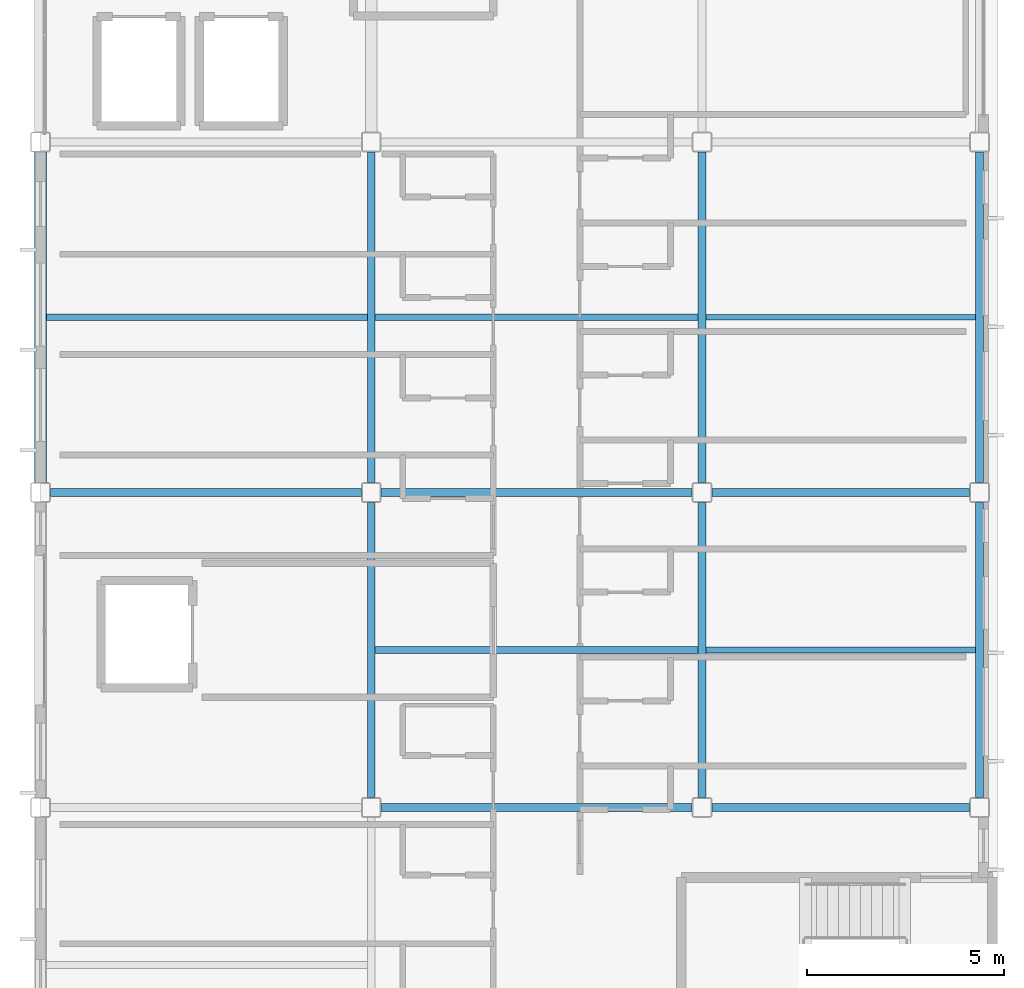
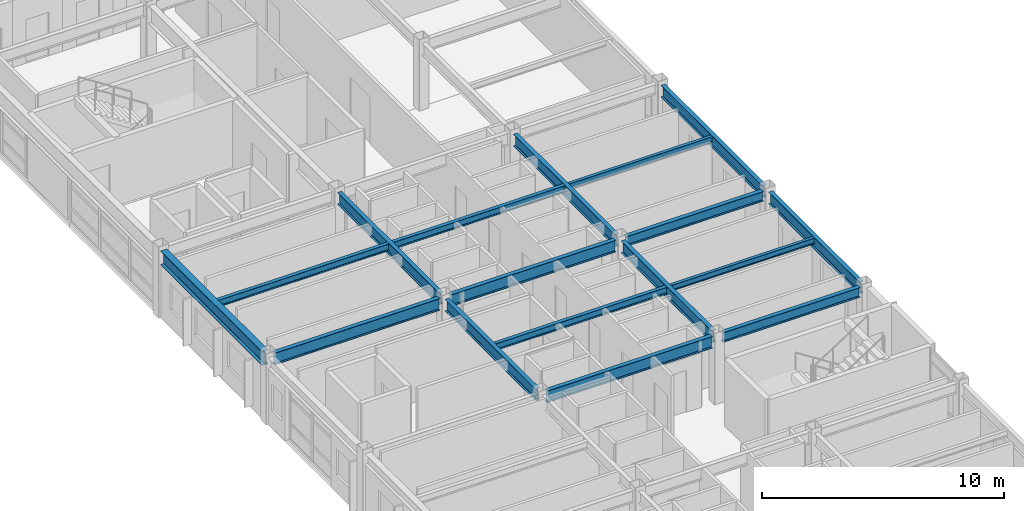
# One storey, part 9 of 35: 17 beams.
"""IFC4 building model written with IfcOpenShell, lengths in metres."""

import ifcopenshell
import ifcopenshell.guid

model = None  # the IFC model being written
_history = None  # IfcOwnerHistory: only IFC2X3 demands one
_inside = {}  # id of a spatial element -> (the spatial element, [elements in it])
_under = {}  # id of a project, library or spatial element -> (it, [spatial elements below it])
_declared = {}  # id of a project -> (the project, [libraries it declares])
_typed = {}  # id of a type object -> (the type object, [elements of that type])
_made_of = {}  # id of a material, layer set ... -> (it, [elements and type objects made of it])


def new_model(schema):
    """Start an empty IFC model of exactly this schema.

    Asked for "IFC4X3", IfcOpenShell would pick the latest addendum, in which some entities
    have other attributes; the version numbers below select the first issue.
    IFC2X3 requires an IfcOwnerHistory on every rooted entity: one is made here for all.
    """
    global model, _history
    if schema == "IFC4X3":
        model = ifcopenshell.file(schema_version=(4, 3, 0, 0))
    else:
        model = ifcopenshell.file(schema=schema)
    _inside.clear()
    _under.clear()
    _declared.clear()
    _typed.clear()
    _made_of.clear()
    _history = None
    if model.schema == "IFC2X3":
        org = make("IfcOrganization", Name="unknown")
        user = make(
            "IfcPersonAndOrganization",
            ThePerson=make("IfcPerson", FamilyName="unknown"),
            TheOrganization=org,
        )
        app = make(
            "IfcApplication",
            ApplicationDeveloper=org,
            Version="unknown",
            ApplicationFullName="unknown",
            ApplicationIdentifier="unknown",
        )
        _history = make(
            "IfcOwnerHistory",
            OwningUser=user,
            OwningApplication=app,
            ChangeAction="ADDED",
            CreationDate=0,
        )
    return model


def make(cls, **values):
    """One entity of the class cls with the attributes given. An attribute that is None is left unset."""
    return model.create_entity(
        cls, **{name: value for name, value in values.items() if value is not None}
    )


def rooted(cls, **values):
    """An entity with a GlobalId (a new one), such as an element, a storey or a relation."""
    return make(cls, GlobalId=ifcopenshell.guid.new(), OwnerHistory=_history, **values)


def si_unit(unit_type, name, prefix=None):
    """IfcSIUnit, for example si_unit("LENGTHUNIT", "METRE", prefix="MILLI")."""
    return make("IfcSIUnit", UnitType=unit_type, Prefix=prefix, Name=name)


def assignment(units):
    """IfcUnitAssignment: the units of a project."""
    return None if units is None else make("IfcUnitAssignment", Units=units)


def point(xyz):
    """IfcCartesianPoint."""
    return None if xyz is None else make("IfcCartesianPoint", Coordinates=xyz)


def direction(xyz):
    """IfcDirection."""
    return None if xyz is None else make("IfcDirection", DirectionRatios=xyz)


def frame(location, z_axis=None, x_axis=None):
    """IfcAxis2Placement3D, a coordinate frame: its origin and axes. An axis left out is left unset."""
    return make(
        "IfcAxis2Placement3D",
        Location=point(location),
        Axis=direction(z_axis),
        RefDirection=direction(x_axis),
    )


def frame_2d(location, x_axis=None):
    """IfcAxis2Placement2D, a coordinate frame in the plane: its origin and x axis."""
    return make(
        "IfcAxis2Placement2D", Location=point(location), RefDirection=direction(x_axis)
    )


def origin():
    """The frame at (0, 0, 0) with its axes left unset."""
    return frame((0.0, 0.0, 0.0))


def origin_2d():
    """The frame at (0, 0) in the plane with its x axis left unset."""
    return frame_2d((0.0, 0.0))


def place(relative_to, where):
    """IfcLocalPlacement: puts the frame where relative to a parent placement (None: the world)."""
    return make(
        "IfcLocalPlacement", PlacementRelTo=relative_to, RelativePlacement=where
    )


def context(
    kind, dimensions, precision=None, world=None, true_north=None, identifier=None
):
    """IfcGeometricRepresentationContext, for example the 3D "Model" context."""
    return make(
        "IfcGeometricRepresentationContext",
        ContextIdentifier=identifier,
        ContextType=kind,
        CoordinateSpaceDimension=dimensions,
        Precision=precision,
        WorldCoordinateSystem=world,
        TrueNorth=true_north,
    )


def subcontext(parent, identifier, kind, view, scale=None):
    """IfcGeometricRepresentationSubContext, for example "Body" below "Model"."""
    return make(
        "IfcGeometricRepresentationSubContext",
        ContextIdentifier=identifier,
        ContextType=kind,
        ParentContext=parent,
        TargetScale=scale,
        TargetView=view,
    )


def project(units=None, contexts=None):
    """IfcProject with its units and contexts."""
    return rooted(
        "IfcProject",
        Name="project",
        RepresentationContexts=contexts,
        UnitsInContext=assignment(units),
    )


def spatial(cls, under=None, at=None, **own):
    """A site, building, storey or space (cls), placed at a placement, below another one or the project."""
    s = rooted(cls, ObjectPlacement=at, **own)
    if under is not None:
        _under.setdefault(under.id(), (under, []))[1].append(s)
    return s


def profile(cls, at=None, kind="AREA", **sizes):
    """A parametric profile (cls). Its sizes go by their IFC names, for example OverallWidth=200.0."""
    return make(cls, ProfileType=kind, Position=at, **sizes)


def i_section(**sizes):
    """IfcIShapeProfileDef."""
    return profile("IfcIShapeProfileDef", **sizes)


def extrude(swept, where, along, depth):
    """IfcExtrudedAreaSolid: the profile swept, set in the frame where, extruded along a direction by depth."""
    return make(
        "IfcExtrudedAreaSolid",
        SweptArea=swept,
        Position=where,
        ExtrudedDirection=direction(along),
        Depth=depth,
    )


def shape(context_of_items, identifier, shape_type, items):
    """IfcShapeRepresentation: the items that make up one representation, for example the "Body"."""
    return make(
        "IfcShapeRepresentation",
        ContextOfItems=context_of_items,
        RepresentationIdentifier=identifier,
        RepresentationType=shape_type,
        Items=items,
    )


def material(Name=None, Category=None):
    """IfcMaterial."""
    return make("IfcMaterial", Name=Name, Category=Category)


def material_profile(
    of_material, cross_section, Name=None, Category=None, Priority=None
):
    """IfcMaterialProfile: a cross section and its material."""
    return make(
        "IfcMaterialProfile",
        Name=Name,
        Material=of_material,
        Profile=cross_section,
        Priority=Priority,
        Category=Category,
    )


def profile_set(profiles, Name=None, composite=None):
    """IfcMaterialProfileSet."""
    return make(
        "IfcMaterialProfileSet",
        Name=Name,
        MaterialProfiles=profiles,
        CompositeProfile=composite,
    )


def made_of(thing, what):
    """Note that an element or type object is made of a material, layer set ...; save() writes the relation."""
    if what is not None:
        _made_of.setdefault(what.id(), (what, []))[1].append(thing)
    return thing


def type_object(cls, material=None, **own):
    """A type object (cls), such as IfcWallType, which elements share."""
    return made_of(rooted(cls, **own), material)


def element(
    cls,
    number,
    at=None,
    inside=None,
    cuts=None,
    type_object=None,
    material=None,
    context=None,
    identifier="Body",
    shape_type=None,
    held_by="IfcProductDefinitionShape",
    body=None,
    shapes=None,
    **own,
):
    """One element of the class cls, such as IfcWall. Its Tag is "e" and its number.

    at: its placement. inside: the storey or other place that contains it. cuts: it is an
    opening in that element (IfcRelVoidsElement). A single representation is given by context,
    identifier, shape_type and body (its items); several are given by shapes. held_by: the class
    of the entity that holds the representations. save() writes the other relations.
    """
    e = rooted(cls, Tag="e%d" % number, ObjectPlacement=at, **own)
    if body is not None:
        shapes = [shape(context, identifier, shape_type, body)]
    if shapes is not None:
        e.Representation = make(held_by, Representations=shapes)
    if inside is not None:
        _inside.setdefault(inside.id(), (inside, []))[1].append(e)
    if cuts is not None:
        rooted(
            "IfcRelVoidsElement", RelatingBuildingElement=cuts, RelatedOpeningElement=e
        )
    if type_object is not None:
        _typed.setdefault(type_object.id(), (type_object, []))[1].append(e)
    return made_of(e, material)


def aggregate(whole, parts):
    """IfcRelAggregates: a whole, such as a stair, and the parts it consists of."""
    return rooted("IfcRelAggregates", RelatingObject=whole, RelatedObjects=parts)


def save(model, path):
    """Write the relations noted so far, then the file.

    IfcRelAggregates (storeys below a building ...), IfcRelContainedInSpatialStructure (elements
    in a storey), IfcRelDefinesByType, IfcRelAssociatesMaterial and IfcRelDeclares: one each for
    every whole, place, type object, material and project.
    """
    for whole, parts in _under.values():
        aggregate(whole, parts)
    for where, things in _inside.values():
        rooted(
            "IfcRelContainedInSpatialStructure",
            RelatedElements=things,
            RelatingStructure=where,
        )
    for kind, things in _typed.values():
        rooted("IfcRelDefinesByType", RelatedObjects=things, RelatingType=kind)
    for what, things in _made_of.values():
        rooted("IfcRelAssociatesMaterial", RelatedObjects=things, RelatingMaterial=what)
    for by, libraries in _declared.values():
        rooted("IfcRelDeclares", RelatingContext=by, RelatedDefinitions=libraries)
    model.write(path)


model = new_model("IFC4")

# Units and contexts
model_context = context("Model", 3, precision=1e-05, world=origin(), true_north=direction((0.0, 1.0)))
body_context = subcontext(model_context, "Body", "Model", "MODEL_VIEW")
ifc_project = project(units=[si_unit("LENGTHUNIT", "METRE"), si_unit("AREAUNIT", "SQUARE_METRE"), si_unit("VOLUMEUNIT", "CUBIC_METRE"), si_unit("PLANEANGLEUNIT", "RADIAN"), si_unit("MASSUNIT", "GRAM", prefix="KILO")], contexts=[model_context])

# Site, building, storey
site_placement = place(None, origin())
site = spatial("IfcSite", under=ifc_project, at=site_placement, CompositionType="ELEMENT")
building_placement = place(site_placement, origin())
building = spatial("IfcBuilding", under=site, at=building_placement, Name="Kazehara Bluff Congress Hotel", CompositionType="ELEMENT")
storey_placement = place(building_placement, frame((0.0, 0.0, 35.39990234375)))
storey = spatial("IfcBuildingStorey", under=building, at=storey_placement, Name="L08", CompositionType="ELEMENT", Elevation=35.39990234375)

# Beams
ifc_material_1 = material(Name="Steel SN490B", Category="steel")
ifc_material_profile_1 = material_profile(ifc_material_1, i_section(OverallWidth=0.199951171875, OverallDepth=0.5, WebThickness=0.010009765625, FlangeThickness=0.01611328125, FilletRadius=0.012939453125, at=origin_2d()))
ifc_profile_set_1 = profile_set([ifc_material_profile_1], Name="Steel SN490B")
beam_type_1 = type_object("IfcBeamType", Name="TP-G-01", PredefinedType="BEAM", material=ifc_profile_set_1)
for number, where, z_axis, x_axis, name in (
    (1, (160.75, 24.0, 3.130126953125), (1.0, 0.0, 0.0), (0.0, 1.0, 0.0), "L08 girder G-01 44"),
    (2, (160.75, 32.0, 3.130126953125), (1.0, 0.0, 0.0), (0.0, 1.0, 0.0), "L08 girder G-01 47"),
):
    element("IfcBeam", number, at=place(storey_placement, frame(where, z_axis=z_axis, x_axis=x_axis)), inside=storey, type_object=beam_type_1, Name=name, PredefinedType="BEAM", context=body_context, shape_type="SweptSolid", body=[
        extrude(i_section(OverallWidth=0.199951171875, OverallDepth=0.5, WebThickness=0.010009765625, FlangeThickness=0.01611328125, FilletRadius=0.012939453125, at=origin_2d()), origin(), (0.0, 0.0, 1.0), 6.550048828125),
    ])
ifc_material_2 = material(Name="Steel SN490B", Category="steel")
ifc_material_profile_2 = material_profile(ifc_material_2, i_section(OverallWidth=0.199951171875, OverallDepth=0.60009765625, WebThickness=0.010986328125, FlangeThickness=0.01708984375, FilletRadius=0.012939453125, at=origin_2d()))
ifc_profile_set_2 = profile_set([ifc_material_profile_2], Name="Steel SN490B")
beam_type_2 = type_object("IfcBeamType", Name="TP-G-02", PredefinedType="BEAM", material=ifc_profile_set_2)
beam_1_placement = place(storey_placement, frame((152.10009765625, 24.25, 3.080078125), z_axis=(0.0, 1.0, 0.0), x_axis=(-1.0, 0.0, 0.0)))
element("IfcBeam", 3, at=beam_1_placement, inside=storey, type_object=beam_type_2, Name="L08 girder G-02 13", PredefinedType="BEAM", context=body_context, shape_type="SweptSolid", body=[
    extrude(i_section(OverallWidth=0.199951171875, OverallDepth=0.60009765625, WebThickness=0.010986328125, FlangeThickness=0.01708984375, FilletRadius=0.012939453125, at=origin_2d()), origin(), (0.0, 0.0, 1.0), 7.5),
])
beam_2_placement = place(storey_placement, frame((152.10009765625, 32.25, 3.080078125), z_axis=(0.0, 1.0, 0.0), x_axis=(-1.0, 0.0, 0.0)))
element("IfcBeam", 4, at=beam_2_placement, inside=storey, type_object=beam_type_2, Name="L08 girder G-02 14", PredefinedType="BEAM", context=body_context, shape_type="SweptSolid", body=[
    extrude(i_section(OverallWidth=0.199951171875, OverallDepth=0.60009765625, WebThickness=0.010986328125, FlangeThickness=0.01708984375, FilletRadius=0.012939453125, at=origin_2d()), origin(), (0.0, 0.0, 1.0), 8.39990234375),
])
beam_3_placement = place(storey_placement, frame((160.5, 24.25, 3.080078125), z_axis=(0.0, 1.0, 0.0), x_axis=(-1.0, 0.0, 0.0)))
element("IfcBeam", 5, at=beam_3_placement, inside=storey, type_object=beam_type_2, Name="L08 girder G-02 21", PredefinedType="BEAM", context=body_context, shape_type="SweptSolid", body=[
    extrude(i_section(OverallWidth=0.199951171875, OverallDepth=0.60009765625, WebThickness=0.010986328125, FlangeThickness=0.01708984375, FilletRadius=0.012939453125, at=origin_2d()), origin(), (0.0, 0.0, 1.0), 7.5),
])
beam_4_placement = place(storey_placement, frame((160.5, 32.25, 3.080078125), z_axis=(0.0, 1.0, 0.0), x_axis=(-1.0, 0.0, 0.0)))
element("IfcBeam", 6, at=beam_4_placement, inside=storey, type_object=beam_type_2, Name="L08 girder G-02 22", PredefinedType="BEAM", context=body_context, shape_type="SweptSolid", body=[
    extrude(i_section(OverallWidth=0.199951171875, OverallDepth=0.60009765625, WebThickness=0.010986328125, FlangeThickness=0.01708984375, FilletRadius=0.012939453125, at=origin_2d()), origin(), (0.0, 0.0, 1.0), 8.39990234375),
])
beam_5_placement = place(storey_placement, frame((167.550048828125, 24.25, 3.080078125), z_axis=(0.0, 1.0, 0.0), x_axis=(-1.0, 0.0, 0.0)))
element("IfcBeam", 7, at=beam_5_placement, inside=storey, type_object=beam_type_2, Name="L08 girder G-02 29", PredefinedType="BEAM", context=body_context, shape_type="SweptSolid", body=[
    extrude(i_section(OverallWidth=0.199951171875, OverallDepth=0.60009765625, WebThickness=0.010986328125, FlangeThickness=0.01708984375, FilletRadius=0.012939453125, at=origin_2d()), origin(), (0.0, 0.0, 1.0), 7.5),
])
beam_6_placement = place(storey_placement, frame((167.550048828125, 32.25, 3.080078125), z_axis=(0.0, 1.0, 0.0), x_axis=(-1.0, 0.0, 0.0)))
element("IfcBeam", 8, at=beam_6_placement, inside=storey, type_object=beam_type_2, Name="L08 girder G-02 30", PredefinedType="BEAM", context=body_context, shape_type="SweptSolid", body=[
    extrude(i_section(OverallWidth=0.199951171875, OverallDepth=0.60009765625, WebThickness=0.010986328125, FlangeThickness=0.01708984375, FilletRadius=0.012939453125, at=origin_2d()), origin(), (0.0, 0.0, 1.0), 8.39990234375),
])
beam_7_placement = place(storey_placement, frame((152.35009765625, 24.0, 3.080078125), z_axis=(1.0, 0.0, 0.0), x_axis=(0.0, 1.0, 0.0)))
element("IfcBeam", 9, at=beam_7_placement, inside=storey, type_object=beam_type_2, Name="L08 girder G-02 43", PredefinedType="BEAM", context=body_context, shape_type="SweptSolid", body=[
    extrude(i_section(OverallWidth=0.199951171875, OverallDepth=0.60009765625, WebThickness=0.010986328125, FlangeThickness=0.01708984375, FilletRadius=0.012939453125, at=origin_2d()), origin(), (0.0, 0.0, 1.0), 7.89990234375),
])
beam_8_placement = place(storey_placement, frame((143.949951171875, 32.0, 3.080078125), z_axis=(1.0, 0.0, 0.0), x_axis=(0.0, 1.0, 0.0)))
element("IfcBeam", 10, at=beam_8_placement, inside=storey, type_object=beam_type_2, Name="L08 girder G-02 45", PredefinedType="BEAM", context=body_context, shape_type="SweptSolid", body=[
    extrude(i_section(OverallWidth=0.199951171875, OverallDepth=0.60009765625, WebThickness=0.010986328125, FlangeThickness=0.01708984375, FilletRadius=0.012939453125, at=origin_2d()), origin(), (0.0, 0.0, 1.0), 7.900146484375),
])
beam_9_placement = place(storey_placement, frame((152.35009765625, 32.0, 3.080078125), z_axis=(1.0, 0.0, 0.0), x_axis=(0.0, 1.0, 0.0)))
element("IfcBeam", 11, at=beam_9_placement, inside=storey, type_object=beam_type_2, Name="L08 girder G-02 46", PredefinedType="BEAM", context=body_context, shape_type="SweptSolid", body=[
    extrude(i_section(OverallWidth=0.199951171875, OverallDepth=0.60009765625, WebThickness=0.010986328125, FlangeThickness=0.01708984375, FilletRadius=0.012939453125, at=origin_2d()), origin(), (0.0, 0.0, 1.0), 7.89990234375),
])
ifc_material_3 = material(Name="Steel SN400B", Category="steel")
ifc_material_profile_3 = material_profile(ifc_material_3, i_section(OverallWidth=0.14990234375, OverallDepth=0.300048828125, WebThickness=0.006591796875, FlangeThickness=0.009033203125, FilletRadius=0.012939453125, at=origin_2d()))
ifc_profile_set_3 = profile_set([ifc_material_profile_3], Name="Steel SN400B")
beam_type_3 = type_object("IfcBeamType", Name="TP-J-01", PredefinedType="JOIST", material=ifc_profile_set_3)
for number, where, z_axis, x_axis, name in (
    (12, (160.60009765625, 28.0, 3.22998046875), (1.0, 0.0, 0.0), (0.0, 1.0, 0.0), "L08 secondary joist J-01 14"),
    (13, (160.60009765625, 36.449951171875, 3.22998046875), (1.0, 0.0, 0.0), (0.0, 1.0, 0.0), "L08 secondary joist J-01 15"),
):
    element("IfcBeam", number, at=place(storey_placement, frame(where, z_axis=z_axis, x_axis=x_axis)), inside=storey, type_object=beam_type_3, Name=name, PredefinedType="JOIST", context=body_context, shape_type="SweptSolid", body=[
        extrude(i_section(OverallWidth=0.14990234375, OverallDepth=0.300048828125, WebThickness=0.006591796875, FlangeThickness=0.009033203125, FilletRadius=0.012939453125, at=origin_2d()), origin(), (0.0, 0.0, 1.0), 6.849853515625),
    ])
ifc_material_4 = material(Name="Steel SN400B", Category="steel")
ifc_material_profile_4 = material_profile(ifc_material_4, i_section(OverallWidth=0.175048828125, OverallDepth=0.35009765625, WebThickness=0.007080078125, FlangeThickness=0.010986328125, FilletRadius=0.012939453125, at=origin_2d()))
ifc_profile_set_4 = profile_set([ifc_material_profile_4], Name="Steel SN400B")
beam_type_4 = type_object("IfcBeamType", Name="TP-J-02", PredefinedType="JOIST", material=ifc_profile_set_4)
beam_10_placement = place(storey_placement, frame((143.85009765625, 36.449951171875, 3.205078125), z_axis=(1.0, 0.0, 0.0), x_axis=(0.0, 1.0, 0.0)))
element("IfcBeam", 14, at=beam_10_placement, inside=storey, type_object=beam_type_4, Name="L08 secondary joist J-02 3", PredefinedType="JOIST", context=body_context, shape_type="SweptSolid", body=[
    extrude(i_section(OverallWidth=0.175048828125, OverallDepth=0.35009765625, WebThickness=0.007080078125, FlangeThickness=0.010986328125, FilletRadius=0.012939453125, at=origin_2d()), origin(), (0.0, 0.0, 1.0), 8.14990234375),
])
for number, where, z_axis, x_axis, name in (
    (15, (152.199951171875, 28.0, 3.205078125), (1.0, 0.0, 0.0), (0.0, 1.0, 0.0), "L08 secondary joist J-02 9"),
    (16, (152.199951171875, 36.449951171875, 3.205078125), (1.0, 0.0, 0.0), (0.0, 1.0, 0.0), "L08 secondary joist J-02 10"),
):
    element("IfcBeam", number, at=place(storey_placement, frame(where, z_axis=z_axis, x_axis=x_axis)), inside=storey, type_object=beam_type_4, Name=name, PredefinedType="JOIST", context=body_context, shape_type="SweptSolid", body=[
        extrude(i_section(OverallWidth=0.175048828125, OverallDepth=0.35009765625, WebThickness=0.007080078125, FlangeThickness=0.010986328125, FilletRadius=0.012939453125, at=origin_2d()), origin(), (0.0, 0.0, 1.0), 8.199951171875),
    ])
ifc_material_5 = material(Name="Steel SN490B", Category="steel")
ifc_material_profile_5 = material_profile(ifc_material_5, i_section(OverallWidth=0.300048828125, OverallDepth=0.699951171875, WebThickness=0.012939453125, FlangeThickness=0.02392578125, FilletRadius=0.01806640625, at=origin_2d()))
ifc_profile_set_5 = profile_set([ifc_material_profile_5], Name="Steel SN490B")
beam_type_5 = type_object("IfcBeamType", Name="TP-SP-03", PredefinedType="SPANDREL", material=ifc_profile_set_5)
beam_11_placement = place(storey_placement, frame((143.699951171875, 32.25, 3.030029296875), z_axis=(0.0, 1.0, 0.0), x_axis=(-1.0, 0.0, 0.0)))
element("IfcBeam", 17, at=beam_11_placement, inside=storey, type_object=beam_type_5, Name="L08 girder SP-03 4", PredefinedType="SPANDREL", context=body_context, shape_type="SweptSolid", body=[
    extrude(i_section(OverallWidth=0.300048828125, OverallDepth=0.699951171875, WebThickness=0.012939453125, FlangeThickness=0.02392578125, FilletRadius=0.01806640625, at=origin_2d()), origin(), (0.0, 0.0, 1.0), 8.39990234375),
])

save(model, "model.ifc")
